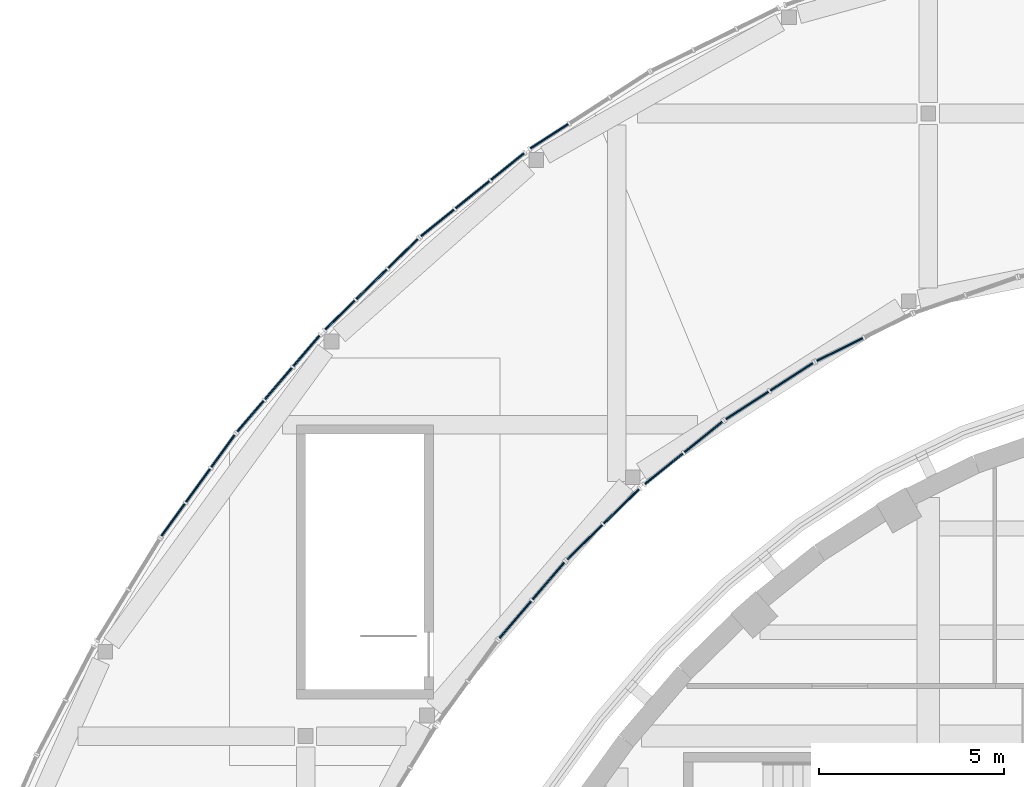
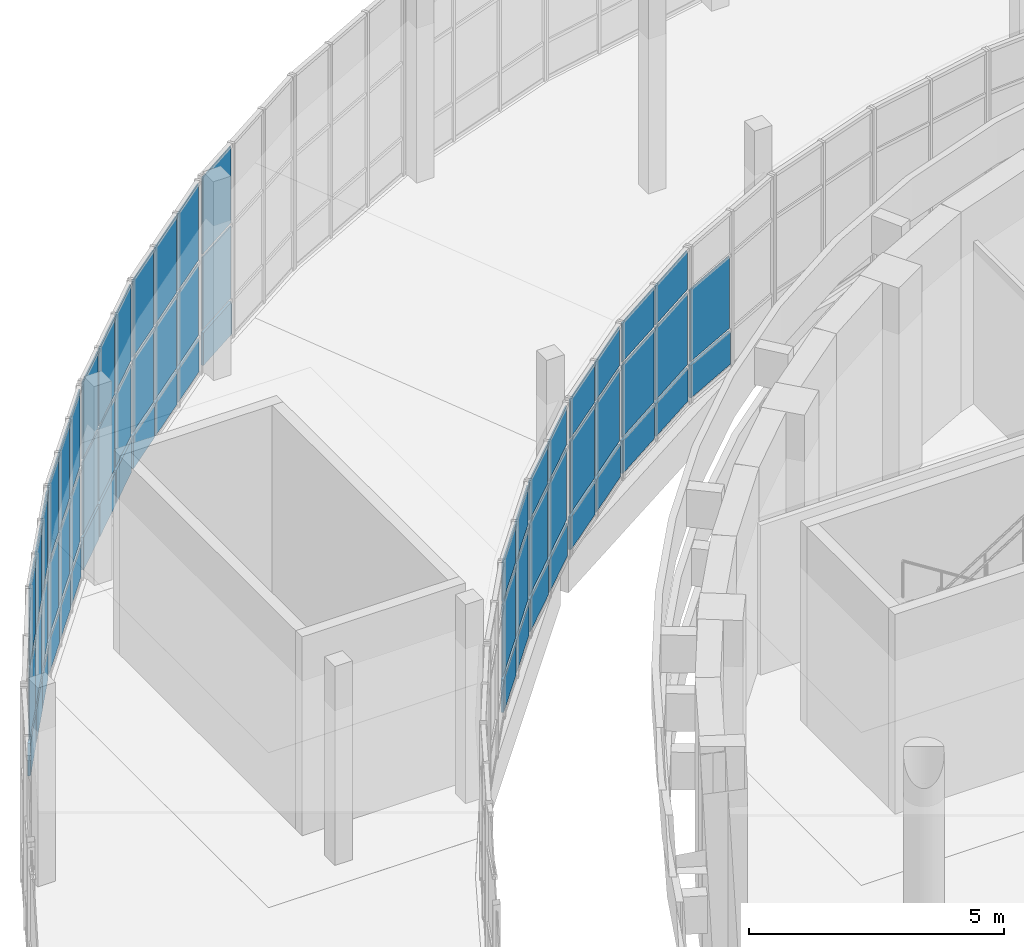
# One storey, part 43 of 103: 65 plates, 10 elements without a shape of their own.
"""IFC4 building model written with IfcOpenShell, lengths in metres."""

from ifc_helpers import new_model, si_unit, direction, frame, origin, origin_2d, place, context, subcontext, project, spatial, rectangle, extrude, material, layer, layer_set, type_object, element, aggregate, save


model = new_model("IFC4")

# Units and contexts
model_context = context("Model", 3, precision=1e-05, world=origin(), true_north=direction((0.0, 1.0)))
body_context = subcontext(model_context, "Body", "Model", "MODEL_VIEW")
ifc_project = project(units=[si_unit("LENGTHUNIT", "METRE"), si_unit("AREAUNIT", "SQUARE_METRE"), si_unit("VOLUMEUNIT", "CUBIC_METRE"), si_unit("PLANEANGLEUNIT", "RADIAN"), si_unit("MASSUNIT", "GRAM", prefix="KILO")], contexts=[model_context])

# Site, building, storey
site_placement = place(None, origin())
site = spatial("IfcSite", under=ifc_project, at=site_placement, CompositionType="ELEMENT")
building_placement = place(site_placement, origin())
building = spatial("IfcBuilding", under=site, at=building_placement, Name="Larchfold Concert Hall", CompositionType="ELEMENT")
storey_placement = place(building_placement, frame((0.0, 0.0, 9.60009765625)))
storey = spatial("IfcBuildingStorey", under=building, at=storey_placement, Name="L02", CompositionType="ELEMENT", Elevation=9.60009765625)

# Curtain wall, plates
ifc_material_1 = material(Name="Anodised graphite aluminium curtain wall", Category="aluminium")
ifc_layer_1 = layer(ifc_material_1, 0.14990234375)
ifc_layer_set_1 = layer_set([ifc_layer_1], Name="Anodised graphite aluminium curtain wall")
curtain_wall_type = type_object("IfcCurtainWallType", Name="Curtain wall WG", PredefinedType="NOTDEFINED", material=ifc_layer_set_1)
curtain_wall_1_placement = place(storey_placement, origin())
curtain_wall_1 = element("IfcCurtainWall", 1, at=curtain_wall_1_placement, inside=storey, type_object=curtain_wall_type, Name="Curtain wall CW0235", PredefinedType="NOTDEFINED")
ifc_material_2 = material(Name="Insulated glazing unit, glass", Category="glass")
ifc_layer_2 = layer(ifc_material_2, 0.028076171875)
ifc_layer_set_2 = layer_set([ifc_layer_2], Name="Insulated glazing unit, glass")
plate_type_1 = type_object("IfcPlateType", Name="Glass panel 28", PredefinedType="CURTAIN_PANEL", material=ifc_layer_set_2)
plate_1_placement = place(storey_placement, frame((23.057861328125, 112.9404296875, 0.93994140625), z_axis=(0.0, 0.0, 1.0), x_axis=(0.650511975245, 0.759495997398, 0.0)))
plate_1 = element("IfcPlate", 2, at=plate_1_placement, type_object=plate_type_1, Name="CW0235 panel 1.2", PredefinedType="CURTAIN_PANEL", context=body_context, shape_type="SweptSolid", body=[
    extrude(rectangle(XDim=1.3134765625, YDim=0.028076171875, at=origin_2d()), origin(), (0.0, 0.0, 1.0), 1.719970703125),
])
plate_2_placement = place(storey_placement, frame((23.057861328125, 112.9404296875, 2.740234375), z_axis=(0.0, 0.0, 1.0), x_axis=(0.650511975245, 0.759495997398, 0.0)))
plate_2 = element("IfcPlate", 3, at=plate_2_placement, type_object=plate_type_1, Name="CW0235 panel 1.3", PredefinedType="CURTAIN_PANEL", context=body_context, shape_type="SweptSolid", body=[
    extrude(rectangle(XDim=1.3134765625, YDim=0.028076171875, at=origin_2d()), origin(), (0.0, 0.0, 1.0), 0.929931640625),
])
plate_3_placement = place(storey_placement, frame((23.951171875, 113.9833984375, 0.93994140625), z_axis=(0.0, 0.0, 1.0), x_axis=(0.650511975245, 0.759495997398, 0.0)))
plate_3 = element("IfcPlate", 4, at=plate_3_placement, type_object=plate_type_1, Name="CW0235 panel 2.2", PredefinedType="CURTAIN_PANEL", context=body_context, shape_type="SweptSolid", body=[
    extrude(rectangle(XDim=1.3134765625, YDim=0.028076171875, at=origin_2d()), origin(), (0.0, 0.0, 1.0), 1.719970703125),
])
plate_4_placement = place(storey_placement, frame((23.951171875, 113.9833984375, 2.740234375), z_axis=(0.0, 0.0, 1.0), x_axis=(0.650511975245, 0.759495997398, 0.0)))
plate_4 = element("IfcPlate", 5, at=plate_4_placement, type_object=plate_type_1, Name="CW0235 panel 2.3", PredefinedType="CURTAIN_PANEL", context=body_context, shape_type="SweptSolid", body=[
    extrude(rectangle(XDim=1.3134765625, YDim=0.028076171875, at=origin_2d()), origin(), (0.0, 0.0, 1.0), 0.929931640625),
])

curtain_wall_2_placement = place(storey_placement, origin())
curtain_wall_2 = element("IfcCurtainWall", 6, at=curtain_wall_2_placement, inside=storey, type_object=curtain_wall_type, Name="Curtain wall CW0236", PredefinedType="NOTDEFINED")
plate_5_placement = place(storey_placement, frame((24.932861328125, 115.03173828125, 0.93994140625), z_axis=(0.0, 0.0, 1.0), x_axis=(0.715019158852, 0.699104857997, 0.0)))
plate_5 = element("IfcPlate", 7, at=plate_5_placement, type_object=plate_type_1, Name="CW0236 panel 1.2", PredefinedType="CURTAIN_PANEL", context=body_context, shape_type="SweptSolid", body=[
    extrude(rectangle(XDim=1.3212890625, YDim=0.028076171875, at=origin_2d()), origin(), (0.0, 0.0, 1.0), 1.719970703125),
])
plate_6_placement = place(storey_placement, frame((24.932861328125, 115.03173828125, 2.740234375), z_axis=(0.0, 0.0, 1.0), x_axis=(0.715019158852, 0.699104857997, 0.0)))
plate_6 = element("IfcPlate", 8, at=plate_6_placement, type_object=plate_type_1, Name="CW0236 panel 1.3", PredefinedType="CURTAIN_PANEL", context=body_context, shape_type="SweptSolid", body=[
    extrude(rectangle(XDim=1.3212890625, YDim=0.028076171875, at=origin_2d()), origin(), (0.0, 0.0, 1.0), 0.929931640625),
])
plate_7_placement = place(storey_placement, frame((25.92041015625, 115.997314453125, 0.93994140625), z_axis=(0.0, 0.0, 1.0), x_axis=(0.715019158852, 0.699104857997, 0.0)))
plate_7 = element("IfcPlate", 9, at=plate_7_placement, type_object=plate_type_1, Name="CW0236 panel 2.2", PredefinedType="CURTAIN_PANEL", context=body_context, shape_type="SweptSolid", body=[
    extrude(rectangle(XDim=1.3212890625, YDim=0.028076171875, at=origin_2d()), origin(), (0.0, 0.0, 1.0), 1.719970703125),
])
plate_8_placement = place(storey_placement, frame((25.92041015625, 115.997314453125, 2.740234375), z_axis=(0.0, 0.0, 1.0), x_axis=(0.715019158852, 0.699104857997, 0.0)))
plate_8 = element("IfcPlate", 10, at=plate_8_placement, type_object=plate_type_1, Name="CW0236 panel 2.3", PredefinedType="CURTAIN_PANEL", context=body_context, shape_type="SweptSolid", body=[
    extrude(rectangle(XDim=1.3212890625, YDim=0.028076171875, at=origin_2d()), origin(), (0.0, 0.0, 1.0), 0.929931640625),
])

curtain_wall_3_placement = place(storey_placement, origin())
curtain_wall_3 = element("IfcCurtainWall", 11, at=curtain_wall_3_placement, inside=storey, type_object=curtain_wall_type, Name="Curtain wall CW0237", PredefinedType="NOTDEFINED")
plate_9_placement = place(storey_placement, frame((27.0673828125, 117.01171875, 0.93994140625), z_axis=(0.0, 0.0, 1.0), x_axis=(0.779042884691, 0.626970640311, 0.0)))
plate_9 = element("IfcPlate", 12, at=plate_9_placement, type_object=plate_type_1, Name="CW0237 panel 1.2", PredefinedType="CURTAIN_PANEL", context=body_context, shape_type="SweptSolid", body=[
    extrude(rectangle(XDim=1.308349609375, YDim=0.028076171875, at=origin_2d()), origin(), (0.0, 0.0, 1.0), 1.719970703125),
])
plate_10_placement = place(storey_placement, frame((27.0673828125, 117.01171875, 2.740234375), z_axis=(0.0, 0.0, 1.0), x_axis=(0.779042884691, 0.626970640311, 0.0)))
plate_10 = element("IfcPlate", 13, at=plate_10_placement, type_object=plate_type_1, Name="CW0237 panel 1.3", PredefinedType="CURTAIN_PANEL", context=body_context, shape_type="SweptSolid", body=[
    extrude(rectangle(XDim=1.308349609375, YDim=0.028076171875, at=origin_2d()), origin(), (0.0, 0.0, 1.0), 0.929931640625),
])
plate_11_placement = place(storey_placement, frame((28.13330078125, 117.86962890625, 0.93994140625), z_axis=(0.0, 0.0, 1.0), x_axis=(0.779042884691, 0.626970640311, 0.0)))
plate_11 = element("IfcPlate", 14, at=plate_11_placement, type_object=plate_type_1, Name="CW0237 panel 2.2", PredefinedType="CURTAIN_PANEL", context=body_context, shape_type="SweptSolid", body=[
    extrude(rectangle(XDim=1.308349609375, YDim=0.028076171875, at=origin_2d()), origin(), (0.0, 0.0, 1.0), 1.719970703125),
])
plate_12_placement = place(storey_placement, frame((28.13330078125, 117.86962890625, 2.740234375), z_axis=(0.0, 0.0, 1.0), x_axis=(0.779042884691, 0.626970640311, 0.0)))
plate_12 = element("IfcPlate", 15, at=plate_12_placement, type_object=plate_type_1, Name="CW0237 panel 2.3", PredefinedType="CURTAIN_PANEL", context=body_context, shape_type="SweptSolid", body=[
    extrude(rectangle(XDim=1.308349609375, YDim=0.028076171875, at=origin_2d()), origin(), (0.0, 0.0, 1.0), 0.929931640625),
])

curtain_wall_4_placement = place(storey_placement, origin())
curtain_wall_4 = element("IfcCurtainWall", 16, at=curtain_wall_4_placement, inside=storey, type_object=curtain_wall_type, Name="Curtain wall CW0238", PredefinedType="NOTDEFINED")
plate_13_placement = place(storey_placement, frame((29.31494140625, 118.720458984375, 0.93994140625), z_axis=(0.0, 0.0, 1.0), x_axis=(0.840478683813, 0.541844610619, 0.0)))
plate_13 = element("IfcPlate", 17, at=plate_13_placement, type_object=plate_type_1, Name="CW0238 panel 1.2", PredefinedType="CURTAIN_PANEL", context=body_context, shape_type="SweptSolid", body=[
    extrude(rectangle(XDim=1.3681640625, YDim=0.028076171875, at=origin_2d()), origin(), (0.0, 0.0, 1.0), 1.719970703125),
])
plate_14_placement = place(storey_placement, frame((29.31494140625, 118.720458984375, 2.740234375), z_axis=(0.0, 0.0, 1.0), x_axis=(0.840478683813, 0.541844610619, 0.0)))
plate_14 = element("IfcPlate", 18, at=plate_14_placement, type_object=plate_type_1, Name="CW0238 panel 1.3", PredefinedType="CURTAIN_PANEL", context=body_context, shape_type="SweptSolid", body=[
    extrude(rectangle(XDim=1.3681640625, YDim=0.028076171875, at=origin_2d()), origin(), (0.0, 0.0, 1.0), 0.929931640625),
])
plate_15_placement = place(storey_placement, frame((30.515380859375, 119.494384765625, 0.93994140625), z_axis=(0.0, 0.0, 1.0), x_axis=(0.840478683813, 0.541844610619, 0.0)))
plate_15 = element("IfcPlate", 19, at=plate_15_placement, type_object=plate_type_1, Name="CW0238 panel 2.2", PredefinedType="CURTAIN_PANEL", context=body_context, shape_type="SweptSolid", body=[
    extrude(rectangle(XDim=1.3681640625, YDim=0.028076171875, at=origin_2d()), origin(), (0.0, 0.0, 1.0), 1.719970703125),
])
plate_16_placement = place(storey_placement, frame((30.515380859375, 119.494384765625, 2.740234375), z_axis=(0.0, 0.0, 1.0), x_axis=(0.840478683813, 0.541844610619, 0.0)))
plate_16 = element("IfcPlate", 20, at=plate_16_placement, type_object=plate_type_1, Name="CW0238 panel 2.3", PredefinedType="CURTAIN_PANEL", context=body_context, shape_type="SweptSolid", body=[
    extrude(rectangle(XDim=1.3681640625, YDim=0.028076171875, at=origin_2d()), origin(), (0.0, 0.0, 1.0), 0.929931640625),
])

# Curtain wall, plate
curtain_wall_5_placement = place(storey_placement, origin())
curtain_wall_5 = element("IfcCurtainWall", 21, at=curtain_wall_5_placement, inside=storey, type_object=curtain_wall_type, Name="Curtain wall CW0239", PredefinedType="NOTDEFINED")
plate_17_placement = place(storey_placement, frame((31.81689453125, 120.23095703125, 0.93994140625), z_axis=(0.0, 0.0, 1.0), x_axis=(0.896858751682, 0.442317057699, 0.0)))
plate_17 = element("IfcPlate", 22, at=plate_17_placement, type_object=plate_type_1, Name="CW0239 panel 1.2", PredefinedType="CURTAIN_PANEL", context=body_context, shape_type="SweptSolid", body=[
    extrude(rectangle(XDim=1.387939453125, YDim=0.028076171875, at=origin_2d()), origin(), (0.0, 0.0, 1.0), 1.719970703125),
])

# Curtain wall, plates
curtain_wall_6_placement = place(storey_placement, origin())
curtain_wall_6 = element("IfcCurtainWall", 23, at=curtain_wall_6_placement, inside=storey, type_object=curtain_wall_type, Name="Curtain wall CW0259", PredefinedType="NOTDEFINED")
plate_18_placement = place(storey_placement, frame((23.9755859375, 125.986328125, 0.93994140625), z_axis=(0.0, 0.0, 1.0), x_axis=(-0.840513449762, -0.541790679847, 0.0)))
plate_18 = element("IfcPlate", 24, at=plate_18_placement, type_object=plate_type_1, Name="CW0259 panel 3.2", PredefinedType="CURTAIN_PANEL", context=body_context, shape_type="SweptSolid", body=[
    extrude(rectangle(XDim=1.21142578125, YDim=0.028076171875, at=origin_2d()), origin(), (0.0, 0.0, 1.0), 1.719970703125),
])
plate_19_placement = place(storey_placement, frame((23.9755859375, 125.986328125, 2.740234375), z_axis=(0.0, 0.0, 1.0), x_axis=(-0.840513449762, -0.541790679847, 0.0)))
plate_19 = element("IfcPlate", 25, at=plate_19_placement, type_object=plate_type_1, Name="CW0259 panel 3.3", PredefinedType="CURTAIN_PANEL", context=body_context, shape_type="SweptSolid", body=[
    extrude(rectangle(XDim=1.21142578125, YDim=0.028076171875, at=origin_2d()), origin(), (0.0, 0.0, 1.0), 1.829833984375),
])

curtain_wall_7_placement = place(storey_placement, origin())
curtain_wall_7 = element("IfcCurtainWall", 26, at=curtain_wall_7_placement, inside=storey, type_object=curtain_wall_type, Name="Curtain wall CW0260", PredefinedType="NOTDEFINED")
plate_20_placement = place(storey_placement, frame((22.848876953125, 125.16943359375, 0.93994140625), z_axis=(0.0, 0.0, 1.0), x_axis=(-0.779017995547, -0.627001565081, 0.0)))
plate_20 = element("IfcPlate", 27, at=plate_20_placement, type_object=plate_type_1, Name="CW0260 panel 1.2", PredefinedType="CURTAIN_PANEL", context=body_context, shape_type="SweptSolid", body=[
    extrude(rectangle(XDim=1.13916015625, YDim=0.028076171875, at=origin_2d()), origin(), (0.0, 0.0, 1.0), 1.719970703125),
])
plate_21_placement = place(storey_placement, frame((22.848876953125, 125.16943359375, 2.740234375), z_axis=(0.0, 0.0, 1.0), x_axis=(-0.779017995547, -0.627001565081, 0.0)))
plate_21 = element("IfcPlate", 28, at=plate_21_placement, type_object=plate_type_1, Name="CW0260 panel 1.3", PredefinedType="CURTAIN_PANEL", context=body_context, shape_type="SweptSolid", body=[
    extrude(rectangle(XDim=1.13916015625, YDim=0.028076171875, at=origin_2d()), origin(), (0.0, 0.0, 1.0), 1.829833984375),
])
plate_22_placement = place(storey_placement, frame((21.903076171875, 124.408203125, 0.93994140625), z_axis=(0.0, 0.0, 1.0), x_axis=(-0.779017995547, -0.627001565081, 0.0)))
plate_22 = element("IfcPlate", 29, at=plate_22_placement, type_object=plate_type_1, Name="CW0260 panel 2.2", PredefinedType="CURTAIN_PANEL", context=body_context, shape_type="SweptSolid", body=[
    extrude(rectangle(XDim=1.169189453125, YDim=0.028076171875, at=origin_2d()), origin(), (0.0, 0.0, 1.0), 1.719970703125),
])
plate_23_placement = place(storey_placement, frame((21.903076171875, 124.408203125, 2.740234375), z_axis=(0.0, 0.0, 1.0), x_axis=(-0.779017995547, -0.627001565081, 0.0)))
plate_23 = element("IfcPlate", 30, at=plate_23_placement, type_object=plate_type_1, Name="CW0260 panel 2.3", PredefinedType="CURTAIN_PANEL", context=body_context, shape_type="SweptSolid", body=[
    extrude(rectangle(XDim=1.169189453125, YDim=0.028076171875, at=origin_2d()), origin(), (0.0, 0.0, 1.0), 1.829833984375),
])
plate_24_placement = place(storey_placement, frame((20.957275390625, 123.64697265625, 0.93994140625), z_axis=(0.0, 0.0, 1.0), x_axis=(-0.779017995547, -0.627001565081, 0.0)))
plate_24 = element("IfcPlate", 31, at=plate_24_placement, type_object=plate_type_1, Name="CW0260 panel 3.2", PredefinedType="CURTAIN_PANEL", context=body_context, shape_type="SweptSolid", body=[
    extrude(rectangle(XDim=1.13916015625, YDim=0.028076171875, at=origin_2d()), origin(), (0.0, 0.0, 1.0), 1.719970703125),
])
plate_25_placement = place(storey_placement, frame((20.957275390625, 123.64697265625, 2.740234375), z_axis=(0.0, 0.0, 1.0), x_axis=(-0.779017995547, -0.627001565081, 0.0)))
plate_25 = element("IfcPlate", 32, at=plate_25_placement, type_object=plate_type_1, Name="CW0260 panel 3.3", PredefinedType="CURTAIN_PANEL", context=body_context, shape_type="SweptSolid", body=[
    extrude(rectangle(XDim=1.13916015625, YDim=0.028076171875, at=origin_2d()), origin(), (0.0, 0.0, 1.0), 1.829833984375),
])

curtain_wall_8_placement = place(storey_placement, origin())
curtain_wall_8 = element("IfcCurtainWall", 33, at=curtain_wall_8_placement, inside=storey, type_object=curtain_wall_type, Name="Curtain wall CW0261", PredefinedType="NOTDEFINED")
plate_26_placement = place(storey_placement, frame((20.026123046875, 122.8212890625, 0.93994140625), z_axis=(0.0, 0.0, 1.0), x_axis=(-0.714978859048, -0.699146072802, 0.0)))
plate_26 = element("IfcPlate", 34, at=plate_26_placement, type_object=plate_type_1, Name="CW0261 panel 1.2", PredefinedType="CURTAIN_PANEL", context=body_context, shape_type="SweptSolid", body=[
    extrude(rectangle(XDim=1.11279296875, YDim=0.028076171875, at=origin_2d()), origin(), (0.0, 0.0, 1.0), 1.719970703125),
])
plate_27_placement = place(storey_placement, frame((20.026123046875, 122.8212890625, 2.740234375), z_axis=(0.0, 0.0, 1.0), x_axis=(-0.714978859048, -0.699146072802, 0.0)))
plate_27 = element("IfcPlate", 35, at=plate_27_placement, type_object=plate_type_1, Name="CW0261 panel 1.3", PredefinedType="CURTAIN_PANEL", context=body_context, shape_type="SweptSolid", body=[
    extrude(rectangle(XDim=1.11279296875, YDim=0.028076171875, at=origin_2d()), origin(), (0.0, 0.0, 1.0), 1.829833984375),
])
plate_28_placement = place(storey_placement, frame((19.177001953125, 121.990966796875, 0.93994140625), z_axis=(0.0, 0.0, 1.0), x_axis=(-0.714978859048, -0.699146072802, 0.0)))
plate_28 = element("IfcPlate", 36, at=plate_28_placement, type_object=plate_type_1, Name="CW0261 panel 2.2", PredefinedType="CURTAIN_PANEL", context=body_context, shape_type="SweptSolid", body=[
    extrude(rectangle(XDim=1.142822265625, YDim=0.028076171875, at=origin_2d()), origin(), (0.0, 0.0, 1.0), 1.719970703125),
])
plate_29_placement = place(storey_placement, frame((19.177001953125, 121.990966796875, 2.740234375), z_axis=(0.0, 0.0, 1.0), x_axis=(-0.714978859048, -0.699146072802, 0.0)))
plate_29 = element("IfcPlate", 37, at=plate_29_placement, type_object=plate_type_1, Name="CW0261 panel 2.3", PredefinedType="CURTAIN_PANEL", context=body_context, shape_type="SweptSolid", body=[
    extrude(rectangle(XDim=1.142822265625, YDim=0.028076171875, at=origin_2d()), origin(), (0.0, 0.0, 1.0), 1.829833984375),
])
plate_30_placement = place(storey_placement, frame((18.32763671875, 121.160400390625, 0.93994140625), z_axis=(0.0, 0.0, 1.0), x_axis=(-0.714978859048, -0.699146072802, 0.0)))
plate_30 = element("IfcPlate", 38, at=plate_30_placement, type_object=plate_type_1, Name="CW0261 panel 3.2", PredefinedType="CURTAIN_PANEL", context=body_context, shape_type="SweptSolid", body=[
    extrude(rectangle(XDim=1.11279296875, YDim=0.028076171875, at=origin_2d()), origin(), (0.0, 0.0, 1.0), 1.719970703125),
])
plate_31_placement = place(storey_placement, frame((18.32763671875, 121.160400390625, 2.740234375), z_axis=(0.0, 0.0, 1.0), x_axis=(-0.714978859048, -0.699146072802, 0.0)))
plate_31 = element("IfcPlate", 39, at=plate_31_placement, type_object=plate_type_1, Name="CW0261 panel 3.3", PredefinedType="CURTAIN_PANEL", context=body_context, shape_type="SweptSolid", body=[
    extrude(rectangle(XDim=1.11279296875, YDim=0.028076171875, at=origin_2d()), origin(), (0.0, 0.0, 1.0), 1.829833984375),
])

curtain_wall_9_placement = place(storey_placement, origin())
curtain_wall_9 = element("IfcCurtainWall", 40, at=curtain_wall_9_placement, inside=storey, type_object=curtain_wall_type, Name="Curtain wall CW0262", PredefinedType="NOTDEFINED")
plate_32_placement = place(storey_placement, frame((17.420166015625, 120.193115234375, 0.93994140625), z_axis=(0.0, 0.0, 1.0), x_axis=(-0.650563313306, -0.759452023093, 0.0)))
plate_32 = element("IfcPlate", 41, at=plate_32_placement, type_object=plate_type_1, Name="CW0262 panel 1.2", PredefinedType="CURTAIN_PANEL", context=body_context, shape_type="SweptSolid", body=[
    extrude(rectangle(XDim=1.085693359375, YDim=0.028076171875, at=origin_2d()), origin(), (0.0, 0.0, 1.0), 1.719970703125),
])
plate_33_placement = place(storey_placement, frame((17.420166015625, 120.193115234375, 2.740234375), z_axis=(0.0, 0.0, 1.0), x_axis=(-0.650563313306, -0.759452023093, 0.0)))
plate_33 = element("IfcPlate", 42, at=plate_33_placement, type_object=plate_type_1, Name="CW0262 panel 1.3", PredefinedType="CURTAIN_PANEL", context=body_context, shape_type="SweptSolid", body=[
    extrude(rectangle(XDim=1.085693359375, YDim=0.028076171875, at=origin_2d()), origin(), (0.0, 0.0, 1.0), 1.829833984375),
])
plate_34_placement = place(storey_placement, frame((16.6650390625, 119.311767578125, 0.93994140625), z_axis=(0.0, 0.0, 1.0), x_axis=(-0.650563313306, -0.759452023093, 0.0)))
plate_34 = element("IfcPlate", 43, at=plate_34_placement, type_object=plate_type_1, Name="CW0262 panel 2.2", PredefinedType="CURTAIN_PANEL", context=body_context, shape_type="SweptSolid", body=[
    extrude(rectangle(XDim=1.11572265625, YDim=0.028076171875, at=origin_2d()), origin(), (0.0, 0.0, 1.0), 1.719970703125),
])
plate_35_placement = place(storey_placement, frame((16.6650390625, 119.311767578125, 2.740234375), z_axis=(0.0, 0.0, 1.0), x_axis=(-0.650563313306, -0.759452023093, 0.0)))
plate_35 = element("IfcPlate", 44, at=plate_35_placement, type_object=plate_type_1, Name="CW0262 panel 2.3", PredefinedType="CURTAIN_PANEL", context=body_context, shape_type="SweptSolid", body=[
    extrude(rectangle(XDim=1.11572265625, YDim=0.028076171875, at=origin_2d()), origin(), (0.0, 0.0, 1.0), 1.829833984375),
])
plate_36_placement = place(storey_placement, frame((15.909912109375, 118.43017578125, 0.93994140625), z_axis=(0.0, 0.0, 1.0), x_axis=(-0.650563313306, -0.759452023093, 0.0)))
plate_36 = element("IfcPlate", 45, at=plate_36_placement, type_object=plate_type_1, Name="CW0262 panel 3.2", PredefinedType="CURTAIN_PANEL", context=body_context, shape_type="SweptSolid", body=[
    extrude(rectangle(XDim=1.085693359375, YDim=0.028076171875, at=origin_2d()), origin(), (0.0, 0.0, 1.0), 1.719970703125),
])
plate_37_placement = place(storey_placement, frame((15.909912109375, 118.43017578125, 2.740234375), z_axis=(0.0, 0.0, 1.0), x_axis=(-0.650563313306, -0.759452023093, 0.0)))
plate_37 = element("IfcPlate", 46, at=plate_37_placement, type_object=plate_type_1, Name="CW0262 panel 3.3", PredefinedType="CURTAIN_PANEL", context=body_context, shape_type="SweptSolid", body=[
    extrude(rectangle(XDim=1.085693359375, YDim=0.028076171875, at=origin_2d()), origin(), (0.0, 0.0, 1.0), 1.829833984375),
])

curtain_wall_10_placement = place(storey_placement, origin())
curtain_wall_10 = element("IfcCurtainWall", 47, at=curtain_wall_10_placement, inside=storey, type_object=curtain_wall_type, Name="Curtain wall CW0263", PredefinedType="NOTDEFINED")
plate_38_placement = place(storey_placement, frame((15.16845703125, 117.489990234375, 0.93994140625), z_axis=(0.0, 0.0, 1.0), x_axis=(-0.586641382541, -0.809846830142, 0.0)))
plate_38 = element("IfcPlate", 48, at=plate_38_placement, type_object=plate_type_1, Name="CW0263 panel 1.2", PredefinedType="CURTAIN_PANEL", context=body_context, shape_type="SweptSolid", body=[
    extrude(rectangle(XDim=1.0712890625, YDim=0.028076171875, at=origin_2d()), origin(), (0.0, 0.0, 1.0), 1.719970703125),
])
plate_39_placement = place(storey_placement, frame((15.16845703125, 117.489990234375, 2.740234375), z_axis=(0.0, 0.0, 1.0), x_axis=(-0.586641382541, -0.809846830142, 0.0)))
plate_39 = element("IfcPlate", 49, at=plate_39_placement, type_object=plate_type_1, Name="CW0263 panel 1.3", PredefinedType="CURTAIN_PANEL", context=body_context, shape_type="SweptSolid", body=[
    extrude(rectangle(XDim=1.0712890625, YDim=0.028076171875, at=origin_2d()), origin(), (0.0, 0.0, 1.0), 1.829833984375),
])
plate_40_placement = place(storey_placement, frame((14.49609375, 116.561767578125, 0.93994140625), z_axis=(0.0, 0.0, 1.0), x_axis=(-0.586641382541, -0.809846830142, 0.0)))
plate_40 = element("IfcPlate", 50, at=plate_40_placement, type_object=plate_type_1, Name="CW0263 panel 2.2", PredefinedType="CURTAIN_PANEL", context=body_context, shape_type="SweptSolid", body=[
    extrude(rectangle(XDim=1.101318359375, YDim=0.028076171875, at=origin_2d()), origin(), (0.0, 0.0, 1.0), 1.719970703125),
])
plate_41_placement = place(storey_placement, frame((14.49609375, 116.561767578125, 2.740234375), z_axis=(0.0, 0.0, 1.0), x_axis=(-0.586641382541, -0.809846830142, 0.0)))
plate_41 = element("IfcPlate", 51, at=plate_41_placement, type_object=plate_type_1, Name="CW0263 panel 2.3", PredefinedType="CURTAIN_PANEL", context=body_context, shape_type="SweptSolid", body=[
    extrude(rectangle(XDim=1.101318359375, YDim=0.028076171875, at=origin_2d()), origin(), (0.0, 0.0, 1.0), 1.829833984375),
])
plate_42_placement = place(storey_placement, frame((13.823486328125, 115.633544921875, 0.93994140625), z_axis=(0.0, 0.0, 1.0), x_axis=(-0.586641382541, -0.809846830142, 0.0)))
plate_42 = element("IfcPlate", 52, at=plate_42_placement, type_object=plate_type_1, Name="CW0263 panel 3.2", PredefinedType="CURTAIN_PANEL", context=body_context, shape_type="SweptSolid", body=[
    extrude(rectangle(XDim=1.0712890625, YDim=0.028076171875, at=origin_2d()), origin(), (0.0, 0.0, 1.0), 1.719970703125),
])
plate_43_placement = place(storey_placement, frame((13.823486328125, 115.633544921875, 2.740234375), z_axis=(0.0, 0.0, 1.0), x_axis=(-0.586641382541, -0.809846830142, 0.0)))
plate_43 = element("IfcPlate", 53, at=plate_43_placement, type_object=plate_type_1, Name="CW0263 panel 3.3", PredefinedType="CURTAIN_PANEL", context=body_context, shape_type="SweptSolid", body=[
    extrude(rectangle(XDim=1.0712890625, YDim=0.028076171875, at=origin_2d()), origin(), (0.0, 0.0, 1.0), 1.829833984375),
])

# Plate
ifc_material_3 = material(Name="White insulated panel")
ifc_layer_3 = layer(ifc_material_3, 0.06005859375)
ifc_layer_set_3 = layer_set([ifc_layer_3], Name="White insulated panel")
plate_type_2 = type_object("IfcPlateType", Name="Insulated spandrel panel 60", PredefinedType="CURTAIN_PANEL", material=ifc_layer_set_3)
plate_44_placement = place(storey_placement, frame((23.057861328125, 112.9404296875, 0.080078125), z_axis=(0.0, 0.0, 1.0), x_axis=(0.650511975245, 0.759495997398, 0.0)))
plate_44 = element("IfcPlate", 54, at=plate_44_placement, type_object=plate_type_2, Name="CW0235 panel 1.1", PredefinedType="CURTAIN_PANEL", context=body_context, shape_type="SweptSolid", body=[
    extrude(rectangle(XDim=1.3134765625, YDim=0.06005859375, at=origin_2d()), origin(), (0.0, 0.0, 1.0), 0.77978515625),
])

plate_45_placement = place(storey_placement, frame((23.951171875, 113.9833984375, 0.080078125), z_axis=(0.0, 0.0, 1.0), x_axis=(0.650511975245, 0.759495997398, 0.0)))
plate_45 = element("IfcPlate", 55, at=plate_45_placement, type_object=plate_type_2, Name="CW0235 panel 2.1", PredefinedType="CURTAIN_PANEL", context=body_context, shape_type="SweptSolid", body=[
    extrude(rectangle(XDim=1.3134765625, YDim=0.06005859375, at=origin_2d()), origin(), (0.0, 0.0, 1.0), 0.77978515625),
])

aggregate(curtain_wall_1, [plate_44, plate_1, plate_2, plate_45, plate_3, plate_4])

plate_46_placement = place(storey_placement, frame((24.932861328125, 115.03173828125, 0.080078125), z_axis=(0.0, 0.0, 1.0), x_axis=(0.715019158852, 0.699104857997, 0.0)))
plate_46 = element("IfcPlate", 56, at=plate_46_placement, type_object=plate_type_2, Name="CW0236 panel 1.1", PredefinedType="CURTAIN_PANEL", context=body_context, shape_type="SweptSolid", body=[
    extrude(rectangle(XDim=1.3212890625, YDim=0.06005859375, at=origin_2d()), origin(), (0.0, 0.0, 1.0), 0.77978515625),
])

plate_47_placement = place(storey_placement, frame((25.92041015625, 115.997314453125, 0.080078125), z_axis=(0.0, 0.0, 1.0), x_axis=(0.715019158852, 0.699104857997, 0.0)))
plate_47 = element("IfcPlate", 57, at=plate_47_placement, type_object=plate_type_2, Name="CW0236 panel 2.1", PredefinedType="CURTAIN_PANEL", context=body_context, shape_type="SweptSolid", body=[
    extrude(rectangle(XDim=1.3212890625, YDim=0.06005859375, at=origin_2d()), origin(), (0.0, 0.0, 1.0), 0.77978515625),
])

aggregate(curtain_wall_2, [plate_46, plate_5, plate_6, plate_47, plate_7, plate_8])

plate_48_placement = place(storey_placement, frame((27.0673828125, 117.01171875, 0.080078125), z_axis=(0.0, 0.0, 1.0), x_axis=(0.779042884691, 0.626970640311, 0.0)))
plate_48 = element("IfcPlate", 58, at=plate_48_placement, type_object=plate_type_2, Name="CW0237 panel 1.1", PredefinedType="CURTAIN_PANEL", context=body_context, shape_type="SweptSolid", body=[
    extrude(rectangle(XDim=1.308349609375, YDim=0.06005859375, at=origin_2d()), origin(), (0.0, 0.0, 1.0), 0.77978515625),
])

plate_49_placement = place(storey_placement, frame((28.13330078125, 117.86962890625, 0.080078125), z_axis=(0.0, 0.0, 1.0), x_axis=(0.779042884691, 0.626970640311, 0.0)))
plate_49 = element("IfcPlate", 59, at=plate_49_placement, type_object=plate_type_2, Name="CW0237 panel 2.1", PredefinedType="CURTAIN_PANEL", context=body_context, shape_type="SweptSolid", body=[
    extrude(rectangle(XDim=1.308349609375, YDim=0.06005859375, at=origin_2d()), origin(), (0.0, 0.0, 1.0), 0.77978515625),
])

aggregate(curtain_wall_3, [plate_48, plate_9, plate_10, plate_49, plate_11, plate_12])

plate_50_placement = place(storey_placement, frame((29.31494140625, 118.720458984375, 0.080078125), z_axis=(0.0, 0.0, 1.0), x_axis=(0.840478683813, 0.541844610619, 0.0)))
plate_50 = element("IfcPlate", 60, at=plate_50_placement, type_object=plate_type_2, Name="CW0238 panel 1.1", PredefinedType="CURTAIN_PANEL", context=body_context, shape_type="SweptSolid", body=[
    extrude(rectangle(XDim=1.3681640625, YDim=0.06005859375, at=origin_2d()), origin(), (0.0, 0.0, 1.0), 0.77978515625),
])

plate_51_placement = place(storey_placement, frame((30.515380859375, 119.494384765625, 0.080078125), z_axis=(0.0, 0.0, 1.0), x_axis=(0.840478683813, 0.541844610619, 0.0)))
plate_51 = element("IfcPlate", 61, at=plate_51_placement, type_object=plate_type_2, Name="CW0238 panel 2.1", PredefinedType="CURTAIN_PANEL", context=body_context, shape_type="SweptSolid", body=[
    extrude(rectangle(XDim=1.3681640625, YDim=0.06005859375, at=origin_2d()), origin(), (0.0, 0.0, 1.0), 0.77978515625),
])

aggregate(curtain_wall_4, [plate_50, plate_13, plate_14, plate_51, plate_15, plate_16])

plate_52_placement = place(storey_placement, frame((31.81689453125, 120.23095703125, 0.080078125), z_axis=(0.0, 0.0, 1.0), x_axis=(0.896858751682, 0.442317057699, 0.0)))
plate_52 = element("IfcPlate", 62, at=plate_52_placement, type_object=plate_type_2, Name="CW0239 panel 1.1", PredefinedType="CURTAIN_PANEL", context=body_context, shape_type="SweptSolid", body=[
    extrude(rectangle(XDim=1.387939453125, YDim=0.06005859375, at=origin_2d()), origin(), (0.0, 0.0, 1.0), 0.77978515625),
])

aggregate(curtain_wall_5, [plate_52, plate_17])

plate_53_placement = place(storey_placement, frame((23.9755859375, 125.986328125, 0.080078125), z_axis=(0.0, 0.0, 1.0), x_axis=(-0.840513449762, -0.541790679847, 0.0)))
plate_53 = element("IfcPlate", 63, at=plate_53_placement, type_object=plate_type_2, Name="CW0259 panel 3.1", PredefinedType="CURTAIN_PANEL", context=body_context, shape_type="SweptSolid", body=[
    extrude(rectangle(XDim=1.21142578125, YDim=0.06005859375, at=origin_2d()), origin(), (0.0, 0.0, 1.0), 0.77978515625),
])

aggregate(curtain_wall_6, [plate_53, plate_18, plate_19])

plate_54_placement = place(storey_placement, frame((22.848876953125, 125.16943359375, 0.080078125), z_axis=(0.0, 0.0, 1.0), x_axis=(-0.779017995547, -0.627001565081, 0.0)))
plate_54 = element("IfcPlate", 64, at=plate_54_placement, type_object=plate_type_2, Name="CW0260 panel 1.1", PredefinedType="CURTAIN_PANEL", context=body_context, shape_type="SweptSolid", body=[
    extrude(rectangle(XDim=1.13916015625, YDim=0.06005859375, at=origin_2d()), origin(), (0.0, 0.0, 1.0), 0.77978515625),
])

plate_55_placement = place(storey_placement, frame((21.903076171875, 124.408203125, 0.080078125), z_axis=(0.0, 0.0, 1.0), x_axis=(-0.779017995547, -0.627001565081, 0.0)))
plate_55 = element("IfcPlate", 65, at=plate_55_placement, type_object=plate_type_2, Name="CW0260 panel 2.1", PredefinedType="CURTAIN_PANEL", context=body_context, shape_type="SweptSolid", body=[
    extrude(rectangle(XDim=1.169189453125, YDim=0.06005859375, at=origin_2d()), origin(), (0.0, 0.0, 1.0), 0.77978515625),
])

plate_56_placement = place(storey_placement, frame((20.957275390625, 123.64697265625, 0.080078125), z_axis=(0.0, 0.0, 1.0), x_axis=(-0.779017995547, -0.627001565081, 0.0)))
plate_56 = element("IfcPlate", 66, at=plate_56_placement, type_object=plate_type_2, Name="CW0260 panel 3.1", PredefinedType="CURTAIN_PANEL", context=body_context, shape_type="SweptSolid", body=[
    extrude(rectangle(XDim=1.13916015625, YDim=0.06005859375, at=origin_2d()), origin(), (0.0, 0.0, 1.0), 0.77978515625),
])

aggregate(curtain_wall_7, [plate_54, plate_20, plate_21, plate_55, plate_22, plate_23, plate_56, plate_24, plate_25])

plate_57_placement = place(storey_placement, frame((20.026123046875, 122.8212890625, 0.080078125), z_axis=(0.0, 0.0, 1.0), x_axis=(-0.714978859048, -0.699146072802, 0.0)))
plate_57 = element("IfcPlate", 67, at=plate_57_placement, type_object=plate_type_2, Name="CW0261 panel 1.1", PredefinedType="CURTAIN_PANEL", context=body_context, shape_type="SweptSolid", body=[
    extrude(rectangle(XDim=1.11279296875, YDim=0.06005859375, at=origin_2d()), origin(), (0.0, 0.0, 1.0), 0.77978515625),
])

plate_58_placement = place(storey_placement, frame((19.177001953125, 121.990966796875, 0.080078125), z_axis=(0.0, 0.0, 1.0), x_axis=(-0.714978859048, -0.699146072802, 0.0)))
plate_58 = element("IfcPlate", 68, at=plate_58_placement, type_object=plate_type_2, Name="CW0261 panel 2.1", PredefinedType="CURTAIN_PANEL", context=body_context, shape_type="SweptSolid", body=[
    extrude(rectangle(XDim=1.142822265625, YDim=0.06005859375, at=origin_2d()), origin(), (0.0, 0.0, 1.0), 0.77978515625),
])

plate_59_placement = place(storey_placement, frame((18.32763671875, 121.160400390625, 0.080078125), z_axis=(0.0, 0.0, 1.0), x_axis=(-0.714978859048, -0.699146072802, 0.0)))
plate_59 = element("IfcPlate", 69, at=plate_59_placement, type_object=plate_type_2, Name="CW0261 panel 3.1", PredefinedType="CURTAIN_PANEL", context=body_context, shape_type="SweptSolid", body=[
    extrude(rectangle(XDim=1.11279296875, YDim=0.06005859375, at=origin_2d()), origin(), (0.0, 0.0, 1.0), 0.77978515625),
])

aggregate(curtain_wall_8, [plate_57, plate_26, plate_27, plate_58, plate_28, plate_29, plate_59, plate_30, plate_31])

plate_60_placement = place(storey_placement, frame((17.420166015625, 120.193115234375, 0.080078125), z_axis=(0.0, 0.0, 1.0), x_axis=(-0.650563313306, -0.759452023093, 0.0)))
plate_60 = element("IfcPlate", 70, at=plate_60_placement, type_object=plate_type_2, Name="CW0262 panel 1.1", PredefinedType="CURTAIN_PANEL", context=body_context, shape_type="SweptSolid", body=[
    extrude(rectangle(XDim=1.085693359375, YDim=0.06005859375, at=origin_2d()), origin(), (0.0, 0.0, 1.0), 0.77978515625),
])

plate_61_placement = place(storey_placement, frame((16.6650390625, 119.311767578125, 0.080078125), z_axis=(0.0, 0.0, 1.0), x_axis=(-0.650563313306, -0.759452023093, 0.0)))
plate_61 = element("IfcPlate", 71, at=plate_61_placement, type_object=plate_type_2, Name="CW0262 panel 2.1", PredefinedType="CURTAIN_PANEL", context=body_context, shape_type="SweptSolid", body=[
    extrude(rectangle(XDim=1.11572265625, YDim=0.06005859375, at=origin_2d()), origin(), (0.0, 0.0, 1.0), 0.77978515625),
])

plate_62_placement = place(storey_placement, frame((15.909912109375, 118.43017578125, 0.080078125), z_axis=(0.0, 0.0, 1.0), x_axis=(-0.650563313306, -0.759452023093, 0.0)))
plate_62 = element("IfcPlate", 72, at=plate_62_placement, type_object=plate_type_2, Name="CW0262 panel 3.1", PredefinedType="CURTAIN_PANEL", context=body_context, shape_type="SweptSolid", body=[
    extrude(rectangle(XDim=1.085693359375, YDim=0.06005859375, at=origin_2d()), origin(), (0.0, 0.0, 1.0), 0.77978515625),
])

aggregate(curtain_wall_9, [plate_60, plate_32, plate_33, plate_61, plate_34, plate_35, plate_62, plate_36, plate_37])

plate_63_placement = place(storey_placement, frame((15.16845703125, 117.489990234375, 0.080078125), z_axis=(0.0, 0.0, 1.0), x_axis=(-0.586641382541, -0.809846830142, 0.0)))
plate_63 = element("IfcPlate", 73, at=plate_63_placement, type_object=plate_type_2, Name="CW0263 panel 1.1", PredefinedType="CURTAIN_PANEL", context=body_context, shape_type="SweptSolid", body=[
    extrude(rectangle(XDim=1.0712890625, YDim=0.06005859375, at=origin_2d()), origin(), (0.0, 0.0, 1.0), 0.77978515625),
])

plate_64_placement = place(storey_placement, frame((14.49609375, 116.561767578125, 0.080078125), z_axis=(0.0, 0.0, 1.0), x_axis=(-0.586641382541, -0.809846830142, 0.0)))
plate_64 = element("IfcPlate", 74, at=plate_64_placement, type_object=plate_type_2, Name="CW0263 panel 2.1", PredefinedType="CURTAIN_PANEL", context=body_context, shape_type="SweptSolid", body=[
    extrude(rectangle(XDim=1.101318359375, YDim=0.06005859375, at=origin_2d()), origin(), (0.0, 0.0, 1.0), 0.77978515625),
])

plate_65_placement = place(storey_placement, frame((13.823486328125, 115.633544921875, 0.080078125), z_axis=(0.0, 0.0, 1.0), x_axis=(-0.586641382541, -0.809846830142, 0.0)))
plate_65 = element("IfcPlate", 75, at=plate_65_placement, type_object=plate_type_2, Name="CW0263 panel 3.1", PredefinedType="CURTAIN_PANEL", context=body_context, shape_type="SweptSolid", body=[
    extrude(rectangle(XDim=1.0712890625, YDim=0.06005859375, at=origin_2d()), origin(), (0.0, 0.0, 1.0), 0.77978515625),
])

aggregate(curtain_wall_10, [plate_63, plate_38, plate_39, plate_64, plate_40, plate_41, plate_65, plate_42, plate_43])

save(model, "model.ifc")
